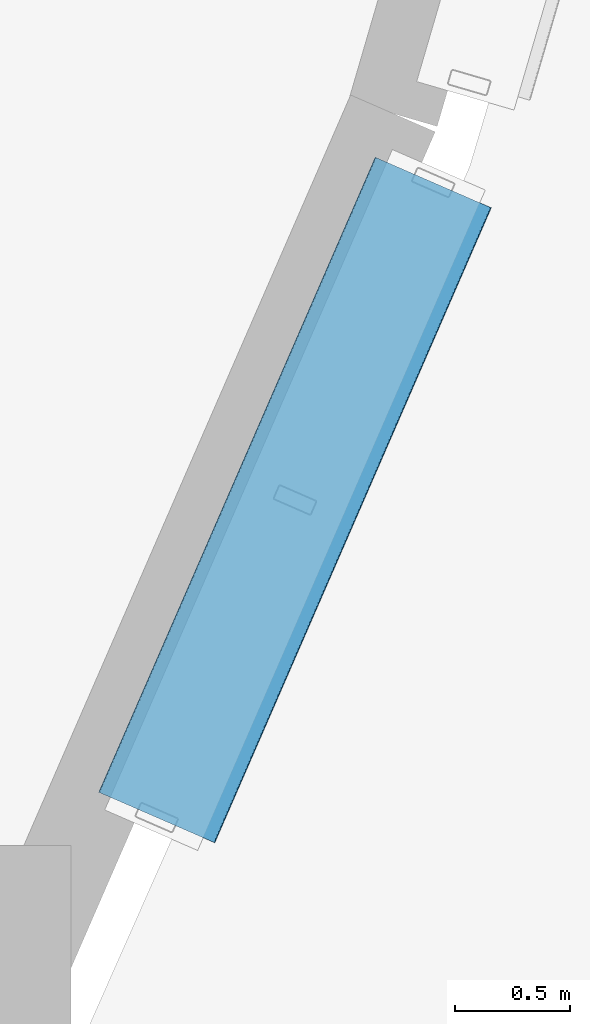
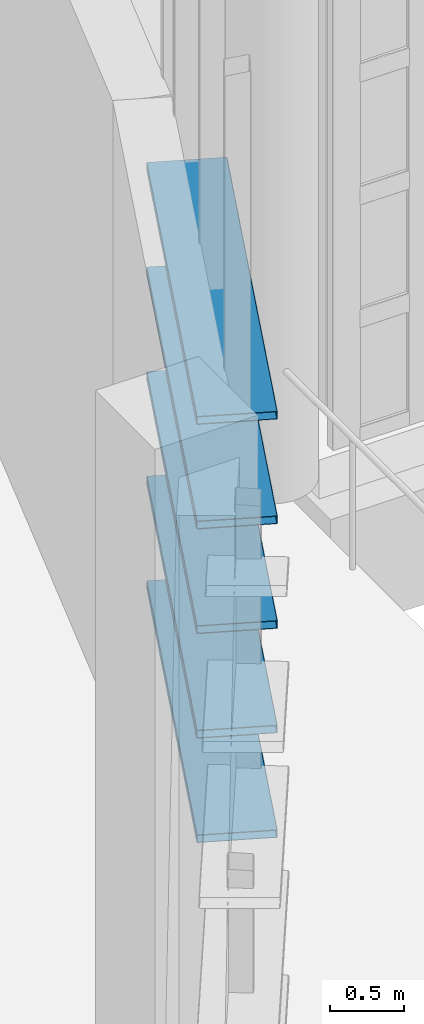
# One storey, part 103 of 372: 5 members.
"""IFC4 building model written with IfcOpenShell, lengths in metres."""

from ifc_helpers import new_model, si_unit, direction, frame, origin, origin_2d, place, context, subcontext, project, spatial, hollow_rectangle, extrude, material, material_profile, profile_set, type_object, element, save


model = new_model("IFC4")

# Units and contexts
model_context = context("Model", 3, precision=1e-05, world=origin(), true_north=direction((0.0, 1.0)))
body_context = subcontext(model_context, "Body", "Model", "MODEL_VIEW")
ifc_project = project(units=[si_unit("LENGTHUNIT", "METRE"), si_unit("AREAUNIT", "SQUARE_METRE"), si_unit("VOLUMEUNIT", "CUBIC_METRE"), si_unit("PLANEANGLEUNIT", "RADIAN"), si_unit("MASSUNIT", "GRAM", prefix="KILO")], contexts=[model_context])

# Site, building, storey
site_placement = place(None, origin())
site = spatial("IfcSite", under=ifc_project, at=site_placement, CompositionType="ELEMENT")
building_placement = place(site_placement, origin())
building = spatial("IfcBuilding", under=site, at=building_placement, Name="Kaelora Sail Theatre", CompositionType="ELEMENT")
storey_placement = place(building_placement, origin())
storey = spatial("IfcBuildingStorey", under=building, at=storey_placement, Name="L00", CompositionType="ELEMENT", Elevation=0.0)

# Members
ifc_material = material(Name="Anodised aluminium 6063-T6", Category="aluminium")
ifc_material_profile = material_profile(ifc_material, hollow_rectangle(XDim=0.550048828125, YDim=0.06494140625, WallThickness=0.00390625, InnerFilletRadius=0.00390625, OuterFilletRadius=0.008056640625, at=origin_2d()), Name="LOUVRE 550x65x4")
ifc_profile_set = profile_set([ifc_material_profile], Name="Anodised aluminium 6063-T6")
member_type = type_object("IfcMemberType", Name="ARC-MEM-LVR-300", PredefinedType="USERDEFINED", material=ifc_profile_set)
for number, where, z_axis, x_axis, name in (
    (1, (56.19970703125, 36.35986328125, 1.25), (-0.399228207285, -0.91685159023, 0.0), (0.91685159023, -0.399228207285, 0.0), "Main Theatre Sail Drum horizontal solar louvre C6-01"),
    (2, (56.19970703125, 36.35986328125, 2.110107421875), (-0.399228207285, -0.91685159023, 0.0), (0.91685159023, -0.399228207285, 0.0), "Main Theatre Sail Drum horizontal solar louvre C6-02"),
    (3, (56.19970703125, 36.35986328125, 2.969970703125), (-0.399228207285, -0.91685159023, 0.0), (0.91685159023, -0.399228207285, 0.0), "Main Theatre Sail Drum horizontal solar louvre C6-03"),
    (4, (56.19970703125, 36.35986328125, 3.830078125), (-0.399228207285, -0.91685159023, 0.0), (0.91685159023, -0.399228207285, 0.0), "Main Theatre Sail Drum horizontal solar louvre C6-04"),
    (5, (56.19970703125, 36.35986328125, 4.68994140625), (-0.399228207285, -0.91685159023, 0.0), (0.91685159023, -0.399228207285, 0.0), "Main Theatre Sail Drum horizontal solar louvre C6-05"),
):
    element("IfcMember", number, at=place(storey_placement, frame(where, z_axis=z_axis, x_axis=x_axis)), inside=storey, type_object=member_type, Name=name, ObjectType="LOUVRE", PredefinedType="USERDEFINED", context=body_context, shape_type="SweptSolid", body=[
        extrude(hollow_rectangle(XDim=0.550048828125, YDim=0.06494140625, WallThickness=0.00390625, InnerFilletRadius=0.00390625, OuterFilletRadius=0.008056640625, at=origin_2d()), origin(), (0.0, 0.0, 1.0), 3.00439453125),
    ])

save(model, "model.ifc")
